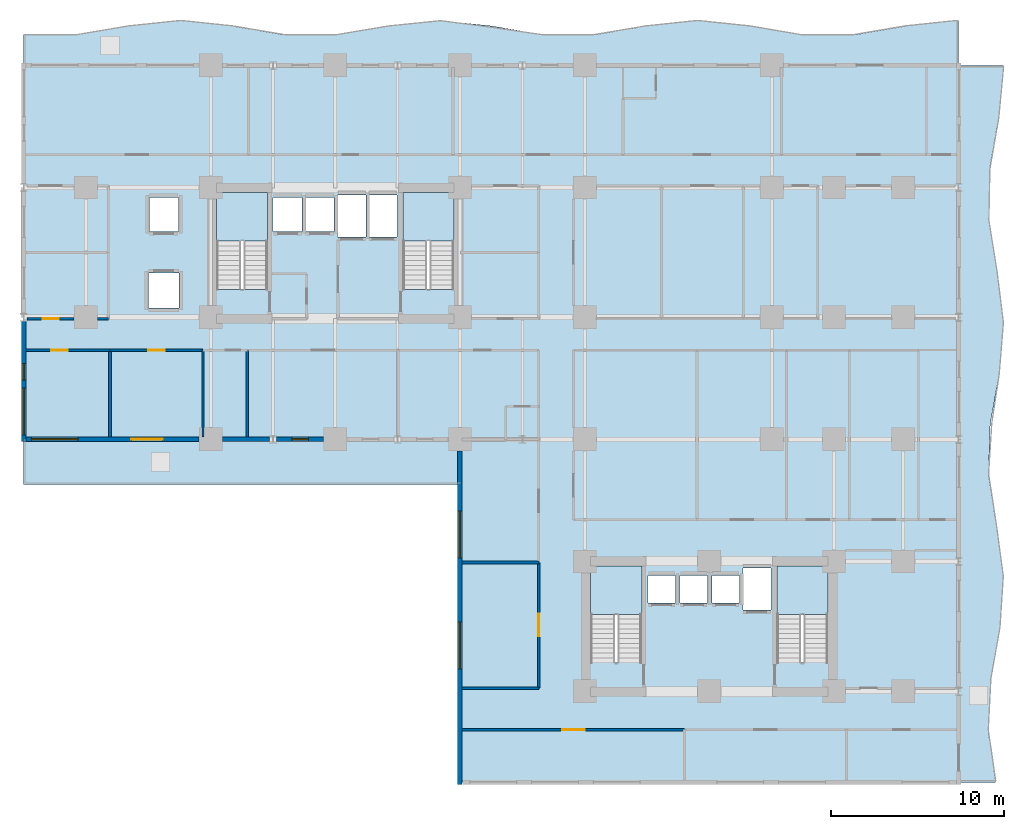
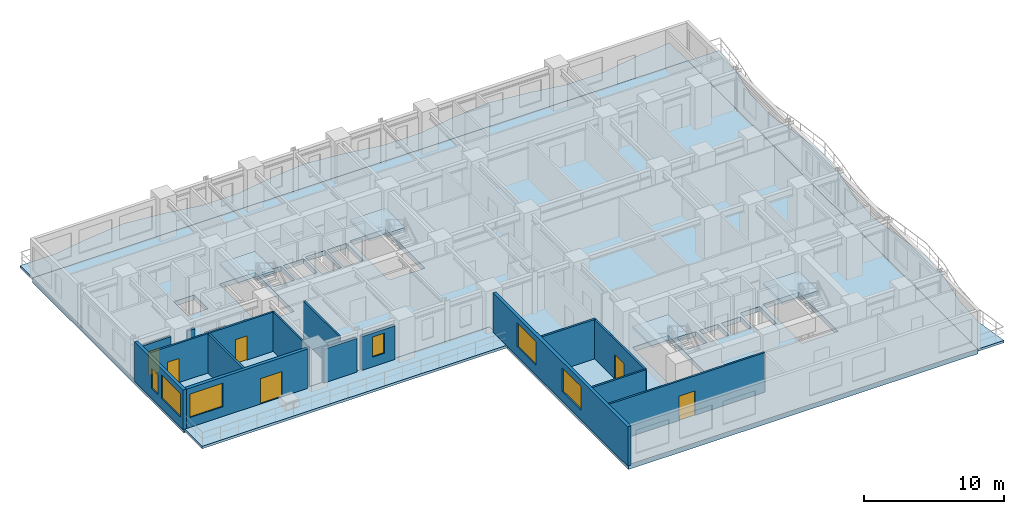
# One storey, part 2 of 11: 16 walls, 8 slabs, 6 doors, 6 windows, 12 openings, 4 elements without a shape of their own.
"""IFC4 building model written with IfcOpenShell, lengths in metres."""

from ifc_helpers import new_model, si_unit, direction, frame, frame_2d, origin, place, context, subcontext, project, spatial, polyline, rectangle, outline, extrude, material, layer, layer_set, type_object, element, fill, aggregate, save


model = new_model("IFC4")

# Units and contexts
model_context = context("Model", 3, precision=1e-05, world=origin(), true_north=direction((0.0, 1.0)))
body_context = subcontext(model_context, "Body", "Model", "MODEL_VIEW")
ifc_project = project(units=[si_unit("LENGTHUNIT", "METRE"), si_unit("AREAUNIT", "SQUARE_METRE"), si_unit("VOLUMEUNIT", "CUBIC_METRE"), si_unit("PLANEANGLEUNIT", "RADIAN"), si_unit("MASSUNIT", "GRAM", prefix="KILO")], contexts=[model_context])

# Site, building, storey
site_placement = place(None, origin())
site = spatial("IfcSite", under=ifc_project, at=site_placement, CompositionType="ELEMENT")
building_placement = place(site_placement, origin())
building = spatial("IfcBuilding", under=site, at=building_placement, Name="Kaliganga Portal Commons", CompositionType="ELEMENT")
storey_placement = place(building_placement, frame((0.0, 0.0, 25.300048828125)))
storey = spatial("IfcBuildingStorey", under=building, at=storey_placement, Name="L05", CompositionType="ELEMENT", Elevation=25.300048828125)

# Slabs
ifc_material_1 = material(Name="Concrete C40/50", Category="concrete")
ifc_layer_1 = layer(ifc_material_1, 0.2099609375)
ifc_layer_set_1 = layer_set([ifc_layer_1], Name="Concrete C40/50")
slab_type_1 = type_object("IfcSlabType", Name="SLB-BALC-210", PredefinedType="FLOOR", material=ifc_layer_set_1)
slab_1_placement = place(storey_placement, frame((0.0, 0.0, -0.2099609375)))
element("IfcSlab", 1, at=slab_1_placement, inside=storey, type_object=slab_type_1, Name="Scalloped Tree-Planter Balcony Slab L05 balc_north", PredefinedType="FLOOR", context=body_context, shape_type="SweptSolid", body=[
    extrude(outline(polyline([(57.60009765625, 43.199951171875), (57.60009765625, 45.800048828125), (54.60009765625, 45.484375), (51.60009765625, 44.9736328125), (48.60009765625, 44.9736328125), (45.60009765625, 45.484375), (42.60009765625, 45.800048828125), (39.60009765625, 45.484375), (36.60009765625, 44.9736328125), (33.60009765625, 44.9736328125), (30.60009765625, 45.484375), (27.60009765625, 45.800048828125), (24.60009765625, 45.484375), (21.60009765625, 44.9736328125), (18.60009765625, 44.9736328125), (15.60009765625, 45.484375), (12.60009765625, 45.800048828125), (9.60009765625, 45.484375), (6.60009765625, 44.9736328125), (3.60009765625, 44.9736328125), (3.60009765625, 43.199951171875), (57.60009765625, 43.199951171875)])), origin(), (0.0, 0.0, 1.0), 0.2099609375),
])
slab_2_placement = place(storey_placement, frame((0.0, 0.0, -0.2099609375)))
element("IfcSlab", 2, at=slab_2_placement, inside=storey, type_object=slab_type_1, Name="Scalloped Tree-Planter Balcony Slab L05 balc_east", PredefinedType="FLOOR", context=body_context, shape_type="SweptSolid", body=[
    extrude(outline(polyline([(57.60009765625, 1.800048828125), (59.743408203125, 1.800048828125), (59.3115234375, 4.757080078125), (59.461669921875, 7.71435546875), (59.991455078125, 10.67138671875), (60.186767578125, 13.628662109375), (59.7841796875, 16.585693359375), (59.326416015625, 19.54296875), (59.4306640625, 22.5), (59.9560546875, 25.45703125), (60.194580078125, 28.414306640625), (59.82470703125, 31.371337890625), (59.344970703125, 34.32861328125), (59.402099609375, 37.28564453125), (59.9189453125, 40.242919921875), (60.19921875, 43.199951171875), (57.60009765625, 43.199951171875), (57.60009765625, 1.800048828125)])), origin(), (0.0, 0.0, 1.0), 0.2099609375),
])

# Stair, slab
stair_type = type_object("IfcStairType", Name="ST-CORE-DOGLEG", PredefinedType="HALF_TURN_STAIR", material=ifc_material_1)
stair_1_placement = place(storey_placement, origin())
stair_1 = element("IfcStair", 3, at=stair_1_placement, inside=storey, type_object=stair_type, Name="L05 Protected Exit Stair ST-A1", PredefinedType="HALF_TURN_STAIR")
ifc_layer_2 = layer(ifc_material_1, 0.199951171875)
ifc_layer_set_2 = layer_set([ifc_layer_2], Name="Concrete C40/50")
slab_type_2 = type_object("IfcSlabType", Name="SLB-STAIR-LND", PredefinedType="LANDING", material=ifc_layer_set_2)
slab_3_placement = place(storey_placement, frame((0.0, 0.0, 1.64990234375)))
slab_3 = element("IfcSlab", 4, at=slab_3_placement, type_object=slab_type_2, Name="ST-A1 landing 1", PredefinedType="LANDING", context=body_context, shape_type="SweptSolid", body=[
    extrude(outline(polyline([(17.699951171875, 33.050048828125), (17.699951171875, 35.85009765625), (14.75, 35.85009765625), (14.75, 33.050048828125), (17.699951171875, 33.050048828125)])), origin(), (0.0, 0.0, 1.0), 0.199951171875),
])
aggregate(stair_1, [slab_3])

stair_2_placement = place(storey_placement, origin())
stair_2 = element("IfcStair", 5, at=stair_2_placement, inside=storey, type_object=stair_type, Name="L05 Protected Exit Stair ST-A2", PredefinedType="HALF_TURN_STAIR")
slab_4_placement = place(storey_placement, frame((0.0, 0.0, 1.64990234375)))
slab_4 = element("IfcSlab", 6, at=slab_4_placement, type_object=slab_type_2, Name="ST-A2 landing 1", PredefinedType="LANDING", context=body_context, shape_type="SweptSolid", body=[
    extrude(outline(polyline([(28.449951171875, 33.050048828125), (28.449951171875, 35.85009765625), (25.5, 35.85009765625), (25.5, 33.050048828125), (28.449951171875, 33.050048828125)])), origin(), (0.0, 0.0, 1.0), 0.199951171875),
])
aggregate(stair_2, [slab_4])

stair_3_placement = place(storey_placement, origin())
stair_3 = element("IfcStair", 7, at=stair_3_placement, inside=storey, type_object=stair_type, Name="L05 Protected Exit Stair ST-B1", PredefinedType="HALF_TURN_STAIR")
slab_5_placement = place(storey_placement, frame((0.0, 0.0, 1.64990234375)))
slab_5 = element("IfcSlab", 8, at=slab_5_placement, type_object=slab_type_2, Name="ST-B1 landing 1", PredefinedType="LANDING", context=body_context, shape_type="SweptSolid", body=[
    extrude(outline(polyline([(39.300048828125, 11.5), (39.300048828125, 14.300048828125), (36.35009765625, 14.300048828125), (36.35009765625, 11.5), (39.300048828125, 11.5)])), origin(), (0.0, 0.0, 1.0), 0.199951171875),
])
aggregate(stair_3, [slab_5])

stair_4_placement = place(storey_placement, origin())
stair_4 = element("IfcStair", 9, at=stair_4_placement, inside=storey, type_object=stair_type, Name="L05 Protected Exit Stair ST-B2", PredefinedType="HALF_TURN_STAIR")
slab_6_placement = place(storey_placement, frame((0.0, 0.0, 1.64990234375)))
slab_6 = element("IfcSlab", 10, at=slab_6_placement, type_object=slab_type_2, Name="ST-B2 landing 1", PredefinedType="LANDING", context=body_context, shape_type="SweptSolid", body=[
    extrude(outline(polyline([(50.050048828125, 11.5), (50.050048828125, 14.300048828125), (47.10009765625, 14.300048828125), (47.10009765625, 11.5), (50.050048828125, 11.5)])), origin(), (0.0, 0.0, 1.0), 0.199951171875),
])
aggregate(stair_4, [slab_6])

# Slabs
ifc_layer_3 = layer(ifc_material_1, 0.219970703125)
ifc_layer_set_3 = layer_set([ifc_layer_3], Name="Concrete C40/50")
slab_type_3 = type_object("IfcSlabType", Name="SLB-TERR-220", PredefinedType="FLOOR", material=ifc_layer_set_3)
slab_7_placement = place(storey_placement, frame((0.0, 0.0, -0.219970703125)))
element("IfcSlab", 11, at=slab_7_placement, inside=storey, type_object=slab_type_3, Name="Block 1 Podium Sky-Garden Terrace", PredefinedType="FLOOR", context=body_context, shape_type="SweptSolid", body=[
    extrude(outline(polyline([(3.60009765625, 19.0), (28.800048828125, 19.0), (28.800048828125, 21.60009765625), (3.60009765625, 21.60009765625), (3.60009765625, 19.0)])), origin(), (0.0, 0.0, 1.0), 0.219970703125),
])
ifc_material_2 = material(Name="Concrete C60/75", Category="concrete")
ifc_layer_4 = layer(ifc_material_2, 0.419921875)
ifc_layer_set_4 = layer_set([ifc_layer_4], Name="Concrete C60/75")
slab_type_4 = type_object("IfcSlabType", Name="SLB-XFER-420", PredefinedType="FLOOR", material=ifc_layer_set_4)
slab_8_placement = place(storey_placement, frame((0.0, 0.0, -0.420166015625)))
element("IfcSlab", 12, at=slab_8_placement, inside=storey, type_object=slab_type_4, Name="Structural Floor Slab L05", PredefinedType="FLOOR", context=body_context, shape_type="SweptSolid", body=[
    extrude(outline(polyline([(28.800048828125, 1.800048828125), (57.60009765625, 1.800048828125), (57.60009765625, 43.199951171875), (3.60009765625, 43.199951171875), (3.60009765625, 21.60009765625), (28.800048828125, 21.60009765625), (28.800048828125, 1.800048828125)]), holes=[polyline([(14.75, 30.25390625), (14.75, 35.85009765625), (17.699951171875, 35.85009765625), (17.699951171875, 30.25390625), (14.75, 30.25390625)]), polyline([(25.5, 30.25390625), (25.5, 35.85009765625), (28.449951171875, 35.85009765625), (28.449951171875, 30.25390625), (25.5, 30.25390625)]), polyline([(36.35009765625, 8.7041015625), (36.35009765625, 14.300048828125), (39.300048828125, 14.300048828125), (39.300048828125, 8.7041015625), (36.35009765625, 8.7041015625)]), polyline([(47.10009765625, 8.7041015625), (47.10009765625, 14.300048828125), (50.050048828125, 14.300048828125), (50.050048828125, 8.7041015625), (47.10009765625, 8.7041015625)]), polyline([(18.014892578125, 33.614990234375), (18.014892578125, 35.5849609375), (19.68505859375, 35.5849609375), (19.68505859375, 33.614990234375), (18.014892578125, 33.614990234375)]), polyline([(19.864990234375, 33.614990234375), (19.864990234375, 35.5849609375), (21.534912109375, 35.5849609375), (21.534912109375, 33.614990234375), (19.864990234375, 33.614990234375)]), polyline([(10.81494140625, 29.18994140625), (10.81494140625, 31.2099609375), (12.5849609375, 31.2099609375), (12.5849609375, 29.18994140625), (10.81494140625, 29.18994140625)]), polyline([(10.864990234375, 33.614990234375), (10.864990234375, 35.5849609375), (12.534912109375, 35.5849609375), (12.534912109375, 33.614990234375), (10.864990234375, 33.614990234375)]), polyline([(21.739990234375, 33.2900390625), (21.739990234375, 35.7099609375), (23.360107421875, 35.7099609375), (23.360107421875, 33.2900390625), (21.739990234375, 33.2900390625)]), polyline([(23.5400390625, 33.2900390625), (23.5400390625, 35.7099609375), (25.159912109375, 35.7099609375), (25.159912109375, 33.2900390625), (23.5400390625, 33.2900390625)]), polyline([(39.6650390625, 12.1650390625), (39.6650390625, 13.735107421875), (41.235107421875, 13.735107421875), (41.235107421875, 12.1650390625), (39.6650390625, 12.1650390625)]), polyline([(41.514892578125, 12.1650390625), (41.514892578125, 13.735107421875), (43.0849609375, 13.735107421875), (43.0849609375, 12.1650390625), (41.514892578125, 12.1650390625)]), polyline([(43.364990234375, 12.1650390625), (43.364990234375, 13.735107421875), (44.93505859375, 13.735107421875), (44.93505859375, 12.1650390625), (43.364990234375, 12.1650390625)]), polyline([(45.139892578125, 11.739990234375), (45.139892578125, 14.159912109375), (46.760009765625, 14.159912109375), (46.760009765625, 11.739990234375), (45.139892578125, 11.739990234375)])]), origin(), (0.0, 0.0, 1.0), 0.420166015625),
])

# Wall, openings, windows
ifc_material_3 = material(Name="Insulated Aluminium-Clad Spandrel Assembly", Category="aluminium")
ifc_layer_5 = layer(ifc_material_3, 0.260009765625)
ifc_layer_set_5 = layer_set([ifc_layer_5], Name="Insulated Aluminium-Clad Spandrel Assembly")
wall_type_1 = type_object("IfcWallType", Name="WL-EXT-SPAND-260", PredefinedType="STANDARD", material=ifc_layer_set_5)
wall_1_placement = place(storey_placement, frame((3.60009765625, 21.469970703125, 0.0), z_axis=(0.0, 0.0, 1.0), x_axis=(0.0, 1.0, 0.0)))
wall_1 = element("IfcWall", 13, at=wall_1_placement, inside=storey, type_object=wall_type_1, Name="Exterior Envelope Wall L05 P1-E03-S3", PredefinedType="STANDARD", context=body_context, shape_type="SweptSolid", body=[
    extrude(rectangle(XDim=6.9560546875, YDim=0.260009765625, at=frame_2d((3.47802734375, 0.0))), origin(), (0.0, 0.0, 1.0), 3.429931640625),
])
opening_1_placement = place(wall_1_placement, frame((0.388916015625, 0.0, 0.85009765625)))
opening_1 = element("IfcOpeningElement", 14, at=opening_1_placement, cuts=wall_1, Name="Opening W-07", PredefinedType="OPENING", context=body_context, shape_type="SweptSolid", body=[
    extrude(rectangle(XDim=2.699951171875, YDim=2.050048828125, at=frame_2d((1.35009765625, 1.02490234375))), frame((0.0, 0.14013671875, 0.0), z_axis=(0.0, -1.0, 0.0), x_axis=(1.0, 0.0, 0.0)), (0.0, 0.0, 1.0), 0.280029296875),
])
opening_2_placement = place(wall_1_placement, frame((3.5595703125, 0.0, 0.85009765625)))
opening_2 = element("IfcOpeningElement", 15, at=opening_2_placement, cuts=wall_1, Name="Opening W-04", PredefinedType="OPENING", context=body_context, shape_type="SweptSolid", body=[
    extrude(rectangle(XDim=0.949951171875, YDim=1.75, at=frame_2d((0.47509765625, 0.875))), frame((0.0, 0.14013671875, 0.0), z_axis=(0.0, -1.0, 0.0), x_axis=(1.0, 0.0, 0.0)), (0.0, 0.0, 1.0), 0.280029296875),
])
ifc_material_4 = material(Name="Thermally Broken Aluminium and Low-E Double Glazing", Category="aluminium")
window_type_1 = type_object("IfcWindowType", Name="WIN-LOUNGE-2700", PartitioningType="TRIPLE_PANEL_VERTICAL", PredefinedType="WINDOW", material=ifc_material_4)
window_1_placement = place(opening_1_placement, origin())
window_1 = element("IfcWindow", 16, at=window_1_placement, inside=storey, type_object=window_type_1, Name="Facade Window L05-P1E03S3-00", OverallHeight=2.050048828125, OverallWidth=2.699951171875, PartitioningType="SINGLE_PANEL", PredefinedType="WINDOW", context=body_context, shape_type="SweptSolid", body=[
    extrude(rectangle(XDim=2.699951171875, YDim=2.050048828125, at=frame_2d((1.35009765625, 1.02490234375))), frame((0.0, 0.030029296875, 0.0), z_axis=(0.0, -1.0, 0.0), x_axis=(1.0, 0.0, 0.0)), (0.0, 0.0, 1.0), 0.06005859375),
])
fill(opening_1, window_1)
window_type_2 = type_object("IfcWindowType", Name="WIN-NARROW-950", PartitioningType="SINGLE_PANEL", PredefinedType="WINDOW", material=ifc_material_4)
window_2_placement = place(opening_2_placement, origin())
window_2 = element("IfcWindow", 17, at=window_2_placement, inside=storey, type_object=window_type_2, Name="Facade Window L05-P1E03S3-N6", OverallHeight=1.75, OverallWidth=0.949951171875, PartitioningType="SINGLE_PANEL", PredefinedType="WINDOW", context=body_context, shape_type="SweptSolid", body=[
    extrude(rectangle(XDim=0.949951171875, YDim=1.75, at=frame_2d((0.47509765625, 0.875))), frame((0.0, 0.030029296875, 0.0), z_axis=(0.0, -1.0, 0.0), x_axis=(1.0, 0.0, 0.0)), (0.0, 0.0, 1.0), 0.06005859375),
])
fill(opening_2, window_2)

# Wall, openings, door, window
wall_2_placement = place(storey_placement, frame((13.72412109375, 21.60009765625, 0.0), z_axis=(0.0, 0.0, 1.0), x_axis=(-1.0, 0.0, 0.0)))
wall_2 = element("IfcWall", 18, at=wall_2_placement, inside=storey, type_object=wall_type_1, Name="Exterior Envelope Wall L05 P1-E04-S1", PredefinedType="STANDARD", context=body_context, shape_type="SweptSolid", body=[
    extrude(rectangle(XDim=9.989013671875, YDim=0.260009765625, at=frame_2d((4.99462890625, 0.0))), origin(), (0.0, 0.0, 1.0), 3.429931640625),
])
opening_3_placement = place(wall_2_placement, frame((2.096923828125, 0.0, 0.0)))
opening_3 = element("IfcOpeningElement", 19, at=opening_3_placement, cuts=wall_2, Name="Opening TD-01", PredefinedType="OPENING", context=body_context, shape_type="SweptSolid", body=[
    extrude(rectangle(XDim=1.800048828125, YDim=2.199951171875, at=frame_2d((0.89990234375, 1.10009765625))), frame((0.0, 0.14013671875, 0.0), z_axis=(0.0, -1.0, 0.0), x_axis=(1.0, 0.0, 0.0)), (0.0, 0.0, 1.0), 0.280029296875),
])
opening_4_placement = place(wall_2_placement, frame((6.97412109375, 0.0, 0.85009765625)))
opening_4 = element("IfcOpeningElement", 20, at=opening_4_placement, cuts=wall_2, Name="Opening W-07", PredefinedType="OPENING", context=body_context, shape_type="SweptSolid", body=[
    extrude(rectangle(XDim=2.699951171875, YDim=2.050048828125, at=frame_2d((1.35009765625, 1.02490234375))), frame((0.0, 0.14013671875, 0.0), z_axis=(0.0, -1.0, 0.0), x_axis=(1.0, 0.0, 0.0)), (0.0, 0.0, 1.0), 0.280029296875),
])
ifc_material_5 = material(Name="Anodized Aluminium and Laminated Safety Glass", Category="aluminium")
door_type_1 = type_object("IfcDoorType", Name="DR-TERR-1800", OperationType="DOUBLE_DOOR_SINGLE_SWING", PredefinedType="DOOR", material=ifc_material_5)
door_1_placement = place(opening_3_placement, origin())
door_1 = element("IfcDoor", 21, at=door_1_placement, inside=storey, type_object=door_type_1, Name="Terrace Access Door L05 skygarden_l05", OperationType="DOUBLE_DOOR_SINGLE_SWING", OverallHeight=2.199951171875, OverallWidth=1.800048828125, PredefinedType="DOOR", context=body_context, shape_type="SweptSolid", body=[
    extrude(rectangle(XDim=1.800048828125, YDim=2.199951171875, at=frame_2d((0.89990234375, 1.10009765625))), frame((0.0, 0.02490234375, 0.0), z_axis=(0.0, -1.0, 0.0), x_axis=(1.0, 0.0, 0.0)), (0.0, 0.0, 1.0), 0.050048828125),
])
fill(opening_3, door_1)
window_3_placement = place(opening_4_placement, origin())
window_3 = element("IfcWindow", 22, at=window_3_placement, inside=storey, type_object=window_type_1, Name="Facade Window L05-P1E04S1-02", OverallHeight=2.050048828125, OverallWidth=2.699951171875, PartitioningType="SINGLE_PANEL", PredefinedType="WINDOW", context=body_context, shape_type="SweptSolid", body=[
    extrude(rectangle(XDim=2.699951171875, YDim=2.050048828125, at=frame_2d((1.35009765625, 1.02490234375))), frame((0.0, 0.030029296875, 0.0), z_axis=(0.0, -1.0, 0.0), x_axis=(1.0, 0.0, 0.0)), (0.0, 0.0, 1.0), 0.06005859375),
])
fill(opening_4, window_3)

# Wall
wall_3_placement = place(storey_placement, frame((17.791015625, 21.60009765625, 0.0), z_axis=(0.0, 0.0, 1.0), x_axis=(-1.0, 0.0, 0.0)))
element("IfcWall", 23, at=wall_3_placement, inside=storey, type_object=wall_type_1, Name="Exterior Envelope Wall L05 P1-E04-S2", PredefinedType="STANDARD", context=body_context, shape_type="SweptSolid", body=[
    extrude(rectangle(XDim=2.715087890625, YDim=0.260009765625, at=frame_2d((1.357421875, 0.0))), origin(), (0.0, 0.0, 1.0), 2.929931640625),
])

# Wall, opening, window
wall_4_placement = place(storey_placement, frame((20.924072265625, 21.60009765625, 0.0), z_axis=(0.0, 0.0, 1.0), x_axis=(-1.0, 0.0, 0.0)))
wall_4 = element("IfcWall", 24, at=wall_4_placement, inside=storey, type_object=wall_type_1, Name="Exterior Envelope Wall L05 P1-E04-S3", PredefinedType="STANDARD", context=body_context, shape_type="SweptSolid", body=[
    extrude(rectangle(XDim=2.715087890625, YDim=0.260009765625, at=frame_2d((1.357421875, 0.0))), origin(), (0.0, 0.0, 1.0), 2.929931640625),
])
opening_5_placement = place(wall_4_placement, frame((0.882568359375, 0.0, 0.85009765625)))
opening_5 = element("IfcOpeningElement", 25, at=opening_5_placement, cuts=wall_4, Name="Opening W-04", PredefinedType="OPENING", context=body_context, shape_type="SweptSolid", body=[
    extrude(rectangle(XDim=0.949951171875, YDim=1.75, at=frame_2d((0.47509765625, 0.875))), frame((0.0, 0.14013671875, 0.0), z_axis=(0.0, -1.0, 0.0), x_axis=(1.0, 0.0, 0.0)), (0.0, 0.0, 1.0), 0.280029296875),
])
window_4_placement = place(opening_5_placement, origin())
window_4 = element("IfcWindow", 26, at=window_4_placement, inside=storey, type_object=window_type_2, Name="Facade Window L05-P1E04S3-00", OverallHeight=1.75, OverallWidth=0.949951171875, PartitioningType="SINGLE_PANEL", PredefinedType="WINDOW", context=body_context, shape_type="SweptSolid", body=[
    extrude(rectangle(XDim=0.949951171875, YDim=1.75, at=frame_2d((0.47509765625, 0.875))), frame((0.0, 0.030029296875, 0.0), z_axis=(0.0, -1.0, 0.0), x_axis=(1.0, 0.0, 0.0)), (0.0, 0.0, 1.0), 0.06005859375),
])
fill(opening_5, window_4)

# Wall, openings, windows
wall_5_placement = place(storey_placement, frame((28.800048828125, 1.669921875, 0.0), z_axis=(0.0, 0.0, 1.0), x_axis=(0.0, 1.0, 0.0)))
wall_5 = element("IfcWall", 27, at=wall_5_placement, inside=storey, type_object=wall_type_1, Name="Exterior Envelope Wall L05 P1-E05-S1", PredefinedType="STANDARD", context=body_context, shape_type="SweptSolid", body=[
    extrude(rectangle(XDim=19.254150390625, YDim=0.260009765625, at=frame_2d((9.626953125, 0.0))), origin(), (0.0, 0.0, 1.0), 3.429931640625),
])
opening_6_placement = place(wall_5_placement, frame((6.672607421875, 0.0, 0.85009765625)))
opening_6 = element("IfcOpeningElement", 28, at=opening_6_placement, cuts=wall_5, Name="Opening W-07", PredefinedType="OPENING", context=body_context, shape_type="SweptSolid", body=[
    extrude(rectangle(XDim=2.699951171875, YDim=2.050048828125, at=frame_2d((1.35009765625, 1.02490234375))), frame((0.0, 0.14013671875, 0.0), z_axis=(0.0, -1.0, 0.0), x_axis=(1.0, 0.0, 0.0)), (0.0, 0.0, 1.0), 0.280029296875),
])
opening_7_placement = place(wall_5_placement, frame((13.090576171875, 0.0, 0.85009765625)))
opening_7 = element("IfcOpeningElement", 29, at=opening_7_placement, cuts=wall_5, Name="Opening W-07", PredefinedType="OPENING", context=body_context, shape_type="SweptSolid", body=[
    extrude(rectangle(XDim=2.699951171875, YDim=2.050048828125, at=frame_2d((1.35009765625, 1.02490234375))), frame((0.0, 0.14013671875, 0.0), z_axis=(0.0, -1.0, 0.0), x_axis=(1.0, 0.0, 0.0)), (0.0, 0.0, 1.0), 0.280029296875),
])
window_5_placement = place(opening_6_placement, origin())
window_5 = element("IfcWindow", 30, at=window_5_placement, inside=storey, type_object=window_type_1, Name="Facade Window L05-P1E05S1-02", OverallHeight=2.050048828125, OverallWidth=2.699951171875, PartitioningType="SINGLE_PANEL", PredefinedType="WINDOW", context=body_context, shape_type="SweptSolid", body=[
    extrude(rectangle(XDim=2.699951171875, YDim=2.050048828125, at=frame_2d((1.35009765625, 1.02490234375))), frame((0.0, 0.030029296875, 0.0), z_axis=(0.0, -1.0, 0.0), x_axis=(1.0, 0.0, 0.0)), (0.0, 0.0, 1.0), 0.06005859375),
])
fill(opening_6, window_5)
window_6_placement = place(opening_7_placement, origin())
window_6 = element("IfcWindow", 31, at=window_6_placement, inside=storey, type_object=window_type_1, Name="Facade Window L05-P1E05S1-04", OverallHeight=2.050048828125, OverallWidth=2.699951171875, PartitioningType="SINGLE_PANEL", PredefinedType="WINDOW", context=body_context, shape_type="SweptSolid", body=[
    extrude(rectangle(XDim=2.699951171875, YDim=2.050048828125, at=frame_2d((1.35009765625, 1.02490234375))), frame((0.0, 0.030029296875, 0.0), z_axis=(0.0, -1.0, 0.0), x_axis=(1.0, 0.0, 0.0)), (0.0, 0.0, 1.0), 0.06005859375),
])
fill(opening_7, window_6)

# Wall, opening, door
ifc_material_6 = material(Name="Fire-Rated Gypsum Board on Steel Stud", Category="steel")
ifc_layer_6 = layer(ifc_material_6, 0.14990234375)
ifc_layer_set_6 = layer_set([ifc_layer_6], Name="Fire-Rated Gypsum Board on Steel Stud")
wall_type_2 = type_object("IfcWallType", Name="WL-PART-CORR-150", PredefinedType="PARTITIONING", material=ifc_layer_set_6)
wall_6_placement = place(storey_placement, frame((28.931884765625, 4.840087890625, 0.0), z_axis=(0.0, 0.0, 1.0), x_axis=(1.0, 0.0, 0.0)))
wall_6 = element("IfcWall", 32, at=wall_6_placement, inside=storey, type_object=wall_type_2, Name="Interior Partition L05-009", PredefinedType="PARTITIONING", context=body_context, shape_type="SweptSolid", body=[
    extrude(rectangle(XDim=12.828125, YDim=0.14990234375, at=frame_2d((6.4140625, 0.0))), origin(), (0.0, 0.0, 1.0), 3.429931640625),
])
opening_8_placement = place(wall_6_placement, frame((5.763916015625, 0.0, 0.0)))
opening_8 = element("IfcOpeningElement", 33, at=opening_8_placement, cuts=wall_6, Name="Opening RD-03", PredefinedType="OPENING", context=body_context, shape_type="SweptSolid", body=[
    extrude(rectangle(XDim=1.300048828125, YDim=2.1201171875, at=frame_2d((0.64990234375, 1.06005859375))), frame((0.0, 0.0849609375, 0.0), z_axis=(0.0, -1.0, 0.0), x_axis=(1.0, 0.0, 0.0)), (0.0, 0.0, 1.0), 0.169921875),
])
ifc_material_7 = material(Name="Glazed Timber Seminar Vision Door", Category="wood")
door_type_2 = type_object("IfcDoorType", Name="DR-STUDY-1300", OperationType="DOUBLE_DOOR_SINGLE_SWING", PredefinedType="DOOR", material=ifc_material_7)
door_2_placement = place(opening_8_placement, origin())
door_2 = element("IfcDoor", 34, at=door_2_placement, inside=storey, type_object=door_type_2, Name="Interior Door L05-BS01", OperationType="DOUBLE_DOOR_SINGLE_SWING", OverallHeight=2.1201171875, OverallWidth=1.300048828125, PredefinedType="DOOR", context=body_context, shape_type="SweptSolid", body=[
    extrude(rectangle(XDim=1.300048828125, YDim=2.1201171875, at=frame_2d((0.64990234375, 1.06005859375))), frame((0.0, 0.02490234375, 0.0), z_axis=(0.0, -1.0, 0.0), x_axis=(1.0, 0.0, 0.0)), (0.0, 0.0, 1.0), 0.050048828125),
])
fill(opening_8, door_2)

wall_7_placement = place(storey_placement, frame((33.360107421875, 7.239990234375, 0.0), z_axis=(0.0, 0.0, 1.0), x_axis=(0.0, 1.0, 0.0)))
wall_7 = element("IfcWall", 35, at=wall_7_placement, inside=storey, type_object=wall_type_2, Name="Interior Partition L05-022", PredefinedType="PARTITIONING", context=body_context, shape_type="SweptSolid", body=[
    extrude(rectangle(XDim=7.260009765625, YDim=0.14990234375, at=frame_2d((3.6298828125, 0.0))), origin(), (0.0, 0.0, 1.0), 3.429931640625),
])
opening_9_placement = place(wall_7_placement, frame((2.97998046875, 0.0, 0.0)))
opening_9 = element("IfcOpeningElement", 36, at=opening_9_placement, cuts=wall_7, Name="Opening RD-03", PredefinedType="OPENING", context=body_context, shape_type="SweptSolid", body=[
    extrude(rectangle(XDim=1.300048828125, YDim=2.1201171875, at=frame_2d((0.64990234375, 1.06005859375))), frame((0.0, 0.0849609375, 0.0), z_axis=(0.0, -1.0, 0.0), x_axis=(1.0, 0.0, 0.0)), (0.0, 0.0, 1.0), 0.169921875),
])
door_3_placement = place(opening_9_placement, origin())
door_3 = element("IfcDoor", 37, at=door_3_placement, inside=storey, type_object=door_type_2, Name="Interior Door L05-KW01", OperationType="DOUBLE_DOOR_SINGLE_SWING", OverallHeight=2.1201171875, OverallWidth=1.300048828125, PredefinedType="DOOR", context=body_context, shape_type="SweptSolid", body=[
    extrude(rectangle(XDim=1.300048828125, YDim=2.1201171875, at=frame_2d((0.64990234375, 1.06005859375))), frame((0.0, 0.02490234375, 0.0), z_axis=(0.0, -1.0, 0.0), x_axis=(1.0, 0.0, 0.0)), (0.0, 0.0, 1.0), 0.050048828125),
])
fill(opening_9, door_3)

wall_8_placement = place(storey_placement, frame((8.60009765625, 26.760009765625, 0.0), z_axis=(0.0, 0.0, 1.0), x_axis=(1.0, 0.0, 0.0)))
wall_8 = element("IfcWall", 38, at=wall_8_placement, inside=storey, type_object=wall_type_2, Name="Interior Partition L05-030", PredefinedType="PARTITIONING", context=body_context, shape_type="SweptSolid", body=[
    extrude(rectangle(XDim=5.35986328125, YDim=0.14990234375, at=frame_2d((2.679931640625, 0.0))), origin(), (0.0, 0.0, 1.0), 3.429931640625),
])
opening_10_placement = place(wall_8_placement, frame((2.205078125, 0.0, 0.0)))
opening_10 = element("IfcOpeningElement", 39, at=opening_10_placement, cuts=wall_8, Name="Opening UD-01", PredefinedType="OPENING", context=body_context, shape_type="SweptSolid", body=[
    extrude(rectangle(XDim=0.949951171875, YDim=2.10009765625, at=frame_2d((0.47509765625, 1.050048828125))), frame((0.0, 0.0849609375, 0.0), z_axis=(0.0, -1.0, 0.0), x_axis=(1.0, 0.0, 0.0)), (0.0, 0.0, 1.0), 0.169921875),
])
ifc_material_8 = material(Name="Solid-Core Timber Acoustic Fire Door", Category="wood")
door_type_3 = type_object("IfcDoorType", Name="DR-UNIT-950", OperationType="NOTDEFINED", PredefinedType="DOOR", material=ifc_material_8)
door_4_placement = place(opening_10_placement, origin())
door_4 = element("IfcDoor", 40, at=door_4_placement, inside=storey, type_object=door_type_3, Name="Interior Door L05-AS02", OperationType="SINGLE_SWING_LEFT", OverallHeight=2.10009765625, OverallWidth=0.949951171875, PredefinedType="DOOR", context=body_context, shape_type="SweptSolid", body=[
    extrude(rectangle(XDim=0.949951171875, YDim=2.10009765625, at=frame_2d((0.47509765625, 1.050048828125))), frame((0.0, 0.02490234375, 0.0), z_axis=(0.0, -1.0, 0.0), x_axis=(1.0, 0.0, 0.0)), (0.0, 0.0, 1.0), 0.050048828125),
])
fill(opening_10, door_4)

wall_9_placement = place(storey_placement, frame((3.73193359375, 26.760009765625, 0.0), z_axis=(0.0, 0.0, 1.0), x_axis=(1.0, 0.0, 0.0)))
wall_9 = element("IfcWall", 41, at=wall_9_placement, inside=storey, type_object=wall_type_2, Name="Interior Partition L05-033", PredefinedType="PARTITIONING", context=body_context, shape_type="SweptSolid", body=[
    extrude(rectangle(XDim=4.8681640625, YDim=0.14990234375, at=frame_2d((2.43408203125, 0.0))), origin(), (0.0, 0.0, 1.0), 3.429931640625),
])
opening_11_placement = place(wall_9_placement, frame((1.47216796875, 0.0, 0.0)))
opening_11 = element("IfcOpeningElement", 42, at=opening_11_placement, cuts=wall_9, Name="Opening UD-01", PredefinedType="OPENING", context=body_context, shape_type="SweptSolid", body=[
    extrude(rectangle(XDim=0.949951171875, YDim=2.10009765625, at=frame_2d((0.47509765625, 1.050048828125))), frame((0.0, 0.0849609375, 0.0), z_axis=(0.0, -1.0, 0.0), x_axis=(1.0, 0.0, 0.0)), (0.0, 0.0, 1.0), 0.169921875),
])
door_5_placement = place(opening_11_placement, origin())
door_5 = element("IfcDoor", 43, at=door_5_placement, inside=storey, type_object=door_type_3, Name="Interior Door L05-AS01", OperationType="SINGLE_SWING_LEFT", OverallHeight=2.10009765625, OverallWidth=0.949951171875, PredefinedType="DOOR", context=body_context, shape_type="SweptSolid", body=[
    extrude(rectangle(XDim=0.949951171875, YDim=2.10009765625, at=frame_2d((0.47509765625, 1.050048828125))), frame((0.0, 0.02490234375, 0.0), z_axis=(0.0, -1.0, 0.0), x_axis=(1.0, 0.0, 0.0)), (0.0, 0.0, 1.0), 0.050048828125),
])
fill(opening_11, door_5)

wall_10_placement = place(storey_placement, frame((3.80810546875, 28.56005859375, 0.0), z_axis=(0.0, 0.0, 1.0), x_axis=(1.0, 0.0, 0.0)))
wall_10 = element("IfcWall", 44, at=wall_10_placement, inside=storey, type_object=wall_type_2, Name="Interior Partition L05-034", PredefinedType="PARTITIONING", context=body_context, shape_type="SweptSolid", body=[
    extrude(rectangle(XDim=2.716796875, YDim=0.14990234375, at=frame_2d((1.3583984375, 0.0))), origin(), (0.0, 0.0, 1.0), 2.780029296875),
])
opening_12_placement = place(wall_10_placement, frame((0.883544921875, 0.0, 0.0)))
opening_12 = element("IfcOpeningElement", 45, at=opening_12_placement, cuts=wall_10, Name="Opening UD-01", PredefinedType="OPENING", context=body_context, shape_type="SweptSolid", body=[
    extrude(rectangle(XDim=0.949951171875, YDim=2.10009765625, at=frame_2d((0.47509765625, 1.050048828125))), frame((0.0, 0.0849609375, 0.0), z_axis=(0.0, -1.0, 0.0), x_axis=(1.0, 0.0, 0.0)), (0.0, 0.0, 1.0), 0.169921875),
])
door_6_placement = place(opening_12_placement, origin())
door_6 = element("IfcDoor", 46, at=door_6_placement, inside=storey, type_object=door_type_3, Name="Interior Door L05-AW01", OperationType="SINGLE_SWING_RIGHT", OverallHeight=2.10009765625, OverallWidth=0.949951171875, PredefinedType="DOOR", context=body_context, shape_type="SweptSolid", body=[
    extrude(rectangle(XDim=0.949951171875, YDim=2.10009765625, at=frame_2d((0.47509765625, 1.050048828125))), frame((0.0, 0.02490234375, 0.0), z_axis=(0.0, -1.0, 0.0), x_axis=(1.0, 0.0, 0.0)), (0.0, 0.0, 1.0), 0.050048828125),
])
fill(opening_12, door_6)

# Walls
wall_11_placement = place(storey_placement, frame((7.875, 28.56005859375, 0.0), z_axis=(0.0, 0.0, 1.0), x_axis=(1.0, 0.0, 0.0)))
element("IfcWall", 47, at=wall_11_placement, inside=storey, type_object=wall_type_2, Name="Interior Partition L05-035", PredefinedType="PARTITIONING", context=body_context, shape_type="SweptSolid", body=[
    extrude(rectangle(XDim=0.625, YDim=0.14990234375, at=frame_2d((0.3125, 0.0))), origin(), (0.0, 0.0, 1.0), 2.780029296875),
])
wall_12_placement = place(storey_placement, frame((28.931884765625, 7.239990234375, 0.0), z_axis=(0.0, 0.0, 1.0), x_axis=(1.0, 0.0, 0.0)))
element("IfcWall", 48, at=wall_12_placement, inside=storey, type_object=wall_type_2, Name="Interior Partition L05-039", PredefinedType="PARTITIONING", context=body_context, shape_type="SweptSolid", body=[
    extrude(rectangle(XDim=4.42822265625, YDim=0.14990234375, at=frame_2d((2.214111328125, 0.0))), origin(), (0.0, 0.0, 1.0), 3.429931640625),
])
ifc_material_9 = material(Name="Twin-Stud Acoustic Gypsum Partition", Category="gypsum")
ifc_layer_7 = layer(ifc_material_9, 0.1650390625)
ifc_layer_set_7 = layer_set([ifc_layer_7], Name="Twin-Stud Acoustic Gypsum Partition")
wall_type_3 = type_object("IfcWallType", Name="WL-PART-UNIT-165", PredefinedType="PARTITIONING", material=ifc_layer_set_7)
wall_13_placement = place(storey_placement, frame((8.60009765625, 21.73193359375, 0.0), z_axis=(0.0, 0.0, 1.0), x_axis=(0.0, 1.0, 0.0)))
element("IfcWall", 49, at=wall_13_placement, inside=storey, type_object=wall_type_3, Name="Interior Partition L05-071", PredefinedType="PARTITIONING", context=body_context, shape_type="SweptSolid", body=[
    extrude(rectangle(XDim=5.028076171875, YDim=0.1650390625, at=frame_2d((2.51416015625, 0.0))), origin(), (0.0, 0.0, 1.0), 3.429931640625),
])
wall_14_placement = place(storey_placement, frame((28.931884765625, 14.5, 0.0), z_axis=(0.0, 0.0, 1.0), x_axis=(1.0, 0.0, 0.0)))
element("IfcWall", 50, at=wall_14_placement, inside=storey, type_object=wall_type_3, Name="Interior Partition L05-080", PredefinedType="PARTITIONING", context=body_context, shape_type="SweptSolid", body=[
    extrude(rectangle(XDim=4.42822265625, YDim=0.1650390625, at=frame_2d((2.214111328125, 0.0))), origin(), (0.0, 0.0, 1.0), 3.429931640625),
])
ifc_material_10 = material(Name="Cement-Board Wet-Room Partition", Category="gypsum")
ifc_layer_8 = layer(ifc_material_10, 0.135009765625)
ifc_layer_set_8 = layer_set([ifc_layer_8], Name="Cement-Board Wet-Room Partition")
wall_type_4 = type_object("IfcWallType", Name="WL-PART-WET-135", PredefinedType="PARTITIONING", material=ifc_layer_set_8)
for number, where, z_axis, x_axis, name in (
    (51, (13.9599609375, 21.73193359375, 0.0), (0.0, 0.0, 1.0), (0.0, 1.0, 0.0), "Interior Partition L05-072"),
    (52, (16.52001953125, 21.73193359375, 0.0), (0.0, 0.0, 1.0), (0.0, 1.0, 0.0), "Interior Partition L05-073"),
):
    element("IfcWall", number, at=place(storey_placement, frame(where, z_axis=z_axis, x_axis=x_axis)), inside=storey, type_object=wall_type_4, Name=name, PredefinedType="PARTITIONING", context=body_context, shape_type="SweptSolid", body=[
        extrude(rectangle(XDim=5.028076171875, YDim=0.135009765625, at=frame_2d((2.51416015625, 0.0))), origin(), (0.0, 0.0, 1.0), 3.429931640625),
    ])

save(model, "model.ifc")
